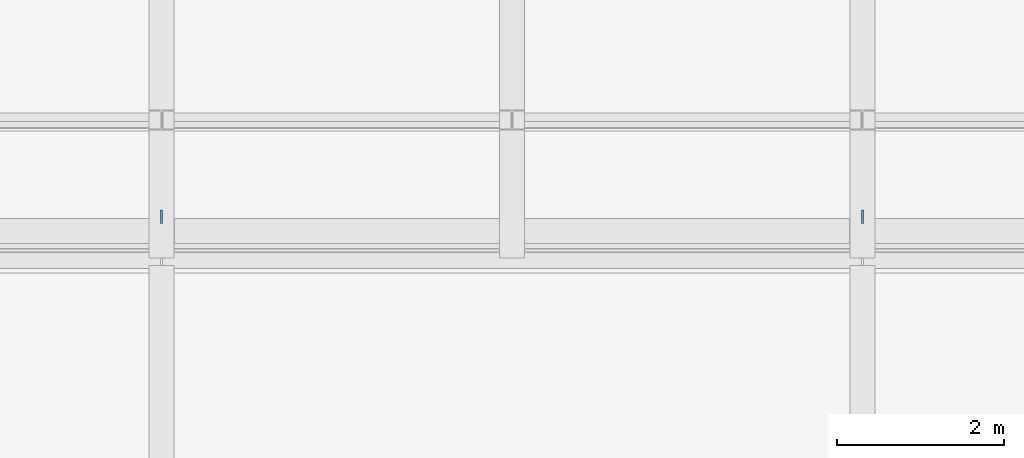
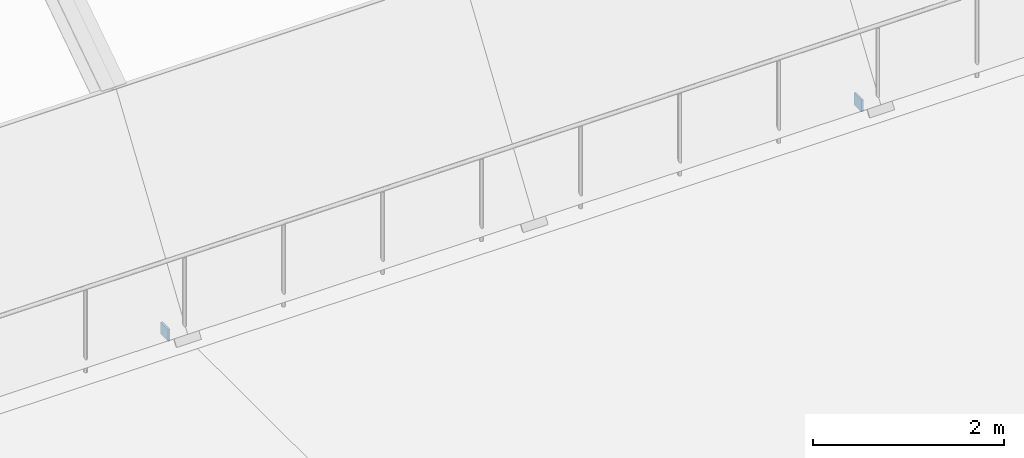
# One storey, part 44 of 58: 2 discrete accessories.
"""IFC4 building model written with IfcOpenShell, lengths in metres."""

from ifc_helpers import new_model, si_unit, direction, frame, origin, origin_2d, place, context, subcontext, project, spatial, rectangle, extrude, material, layer, layer_set, type_object, element, save


model = new_model("IFC4")

# Units and contexts
model_context = context("Model", 3, precision=1e-05, world=origin(), true_north=direction((0.0, 1.0)))
body_context = subcontext(model_context, "Body", "Model", "MODEL_VIEW")
ifc_project = project(units=[si_unit("LENGTHUNIT", "METRE"), si_unit("AREAUNIT", "SQUARE_METRE"), si_unit("VOLUMEUNIT", "CUBIC_METRE"), si_unit("PLANEANGLEUNIT", "RADIAN"), si_unit("MASSUNIT", "GRAM", prefix="KILO")], contexts=[model_context])

# Site, building, storey
site_placement = place(None, origin())
site = spatial("IfcSite", under=ifc_project, at=site_placement, CompositionType="ELEMENT")
building_placement = place(site_placement, origin())
building = spatial("IfcBuilding", under=site, at=building_placement, Name="Galleria Vessillo Department Store", CompositionType="ELEMENT")
storey_placement = place(building_placement, frame((0.0, 0.0, 31.199951171875)))
storey = spatial("IfcBuildingStorey", under=building, at=storey_placement, Name="L06", CompositionType="ELEMENT", Elevation=31.199951171875)

# Discrete accessories
ifc_material = material(Name="Steel S355 J2", Category="steel")
ifc_layer = layer(ifc_material, 0.02490234375)
ifc_layer_set = layer_set([ifc_layer], Name="Steel S355 J2")
discrete_accessory_type = type_object("IfcDiscreteAccessoryType", Name="Vault tie gusset and cap bracket CN15", PredefinedType="BRACKET", material=ifc_layer_set)
for number, where, z_axis, x_axis, name in (
    (1, (50.39990234375, 25.52197265625, -0.224853515625), (0.0, 0.0, 1.0), (1.0, 0.0, 0.0), "Vault tie connection bracket S-VT-0504 south"),
    (2, (58.800048828125, 25.52197265625, -0.224853515625), (0.0, 0.0, 1.0), (1.0, 0.0, 0.0), "Vault tie connection bracket S-VT-0588 south"),
):
    element("IfcDiscreteAccessory", number, at=place(storey_placement, frame(where, z_axis=z_axis, x_axis=x_axis)), inside=storey, type_object=discrete_accessory_type, Name=name, PredefinedType="BRACKET", context=body_context, shape_type="SweptSolid", body=[
        extrude(rectangle(XDim=0.02490234375, YDim=0.159912109375, at=origin_2d()), origin(), (0.0, 0.0, 1.0), 0.14990234375),
    ])

save(model, "model.ifc")
